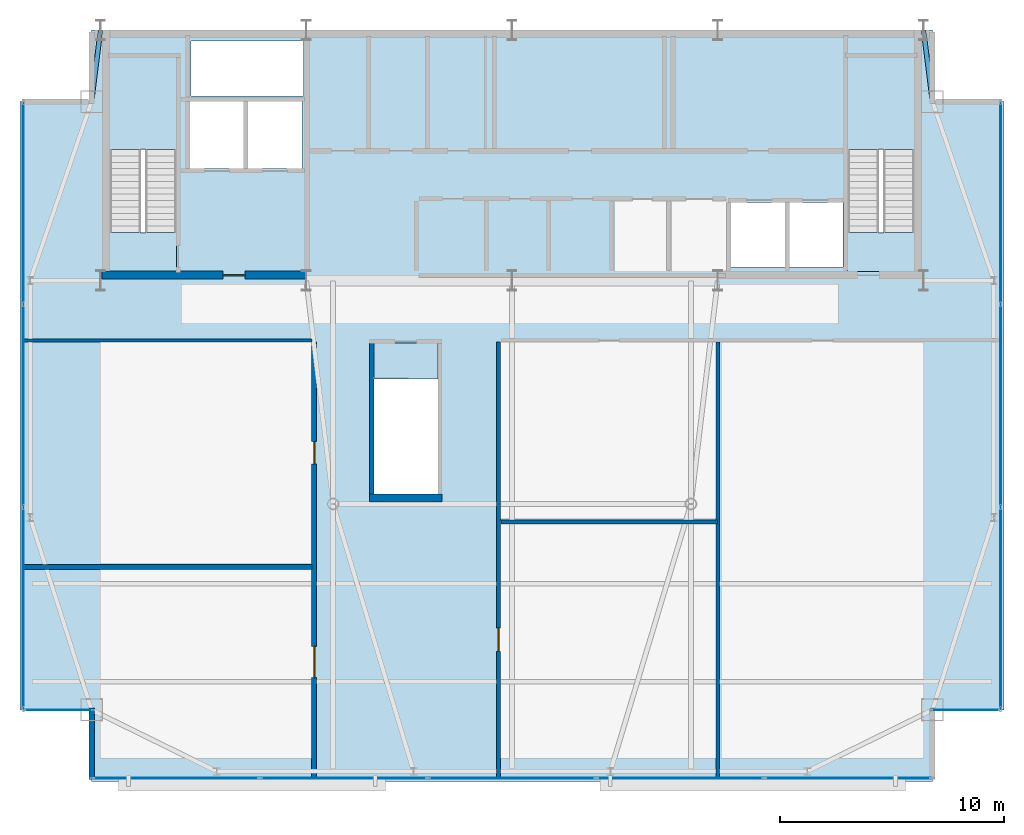
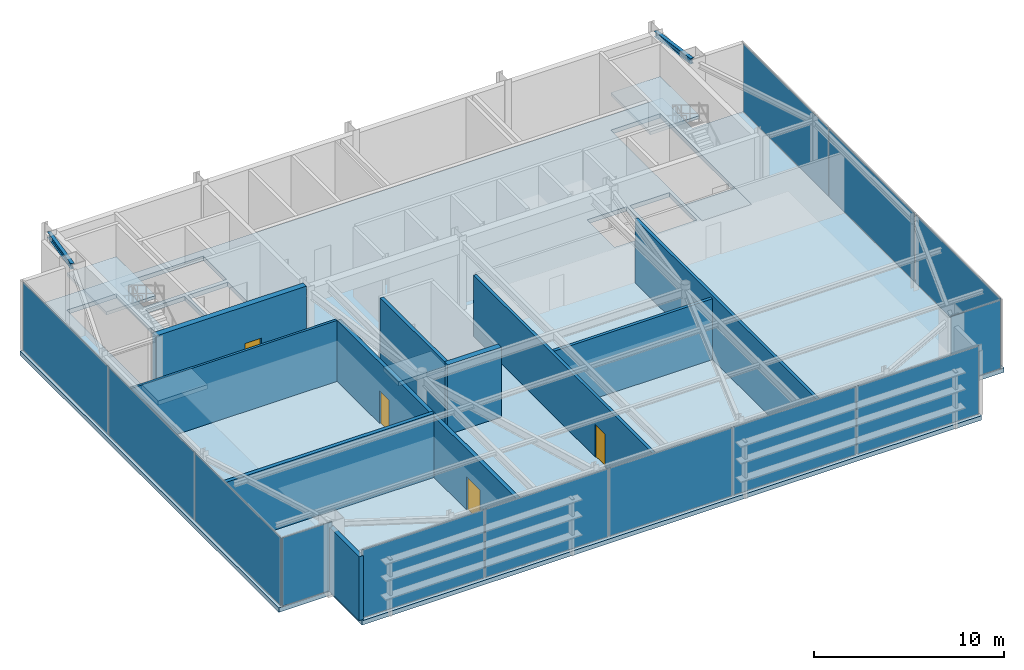
# One storey, part 17 of 20: 13 plates, 10 walls, 6 slabs, 4 doors, 2 beams, 4 openings, 7 elements without a shape of their own.
"""IFC4 building model written with IfcOpenShell, lengths in metres."""

from ifc_helpers import new_model, si_unit, direction, frame, frame_2d, origin, origin_2d, place, context, subcontext, project, spatial, polyline, rectangle, i_section, outline, extrude, source, transform, mapped, material, layer, layer_set, material_profile, profile_set, type_object, type_shapes, element, fill, aggregate, save


model = new_model("IFC4")

# Units and contexts
model_context = context("Model", 3, precision=1e-05, world=origin(), true_north=direction((0.0, 1.0)))
body_context = subcontext(model_context, "Body", "Model", "MODEL_VIEW")
ifc_project = project(units=[si_unit("LENGTHUNIT", "METRE"), si_unit("AREAUNIT", "SQUARE_METRE"), si_unit("VOLUMEUNIT", "CUBIC_METRE"), si_unit("PLANEANGLEUNIT", "RADIAN"), si_unit("MASSUNIT", "GRAM", prefix="KILO")], contexts=[model_context])

# Site, building, storey
site_placement = place(None, origin())
site = spatial("IfcSite", under=ifc_project, at=site_placement, CompositionType="ELEMENT")
building_placement = place(site_placement, origin())
building = spatial("IfcBuilding", under=site, at=building_placement, Name="Varnel Quay Broadcast Tower", CompositionType="ELEMENT")
storey_placement = place(building_placement, frame((0.0, 0.0, 309.800048828125)))
storey = spatial("IfcBuildingStorey", under=building, at=storey_placement, Name="L77", CompositionType="ELEMENT", Elevation=309.800048828125)

# Beams
ifc_material_1 = material(Name="Structural Steel CSA G40.21 350W", Category="steel")
ifc_material_profile = material_profile(ifc_material_1, i_section(OverallWidth=0.205078125, OverallDepth=0.35400390625, WebThickness=0.009521484375, FlangeThickness=0.016845703125, FilletRadius=0.012939453125, at=origin_2d()), Name="W360X79")
ifc_profile_set = profile_set([ifc_material_profile], Name="Structural Steel CSA G40.21 350W")
beam_type = type_object("IfcBeamType", Name="Beam_W360X79", PredefinedType="SPANDREL", material=ifc_profile_set)
shared_shape_1 = source(origin(), body_context, "Body", "SweptSolid", [
    extrude(i_section(OverallWidth=0.205078125, OverallDepth=0.35400390625, WebThickness=0.009521484375, FlangeThickness=0.016845703125, FilletRadius=0.012939453125, at=origin_2d()), origin(), (0.0, 0.0, 1.0), 3.18505859375),
])
type_shapes(beam_type, [shared_shape_1])
for number, where, z_axis, x_axis, name in (
    (1, (15.202392578125, 43.619873046875, 4.302978515625), (0.124025300311, 0.992279055953, 0.0), (-0.992279055953, 0.124025300311, 0.0), "L77 NW Tie Spandrel"),
    (2, (52.402587890625, 46.7802734375, 4.302978515625), (0.124025300311, -0.992279055953, 0.0), (0.992279055953, 0.124025300311, 0.0), "L77 NE Tie Spandrel"),
):
    element("IfcBeam", number, at=place(storey_placement, frame(where, z_axis=z_axis, x_axis=x_axis)), inside=storey, type_object=beam_type, Name=name, PredefinedType="SPANDREL", context=body_context, shape_type="MappedRepresentation", body=[
        mapped(shared_shape_1, transform((0.0, 0.0, 0.0), x_axis=(1.0, 0.0, 0.0), y_axis=(0.0, 1.0, 0.0), z_axis=(0.0, 0.0, 1.0), scale=1.0)),
    ])

# Slabs
ifc_material_2 = material(Name="Concrete CSA A23.3 C50/60", Category="concrete")
ifc_layer_1 = layer(ifc_material_2, 0.280029296875, Name="Concrete CSA A23.3 C50/60")
ifc_layer_set_1 = layer_set([ifc_layer_1], Name="Concrete CSA A23.3 C50/60")
slab_type_1 = type_object("IfcSlabType", Name="Slab_Floor280", PredefinedType="FLOOR", material=ifc_layer_set_1)
slab_1_placement = place(storey_placement, frame((0.0, 0.0, -0.280029296875)))
element("IfcSlab", 3, at=slab_1_placement, inside=storey, type_object=slab_type_1, Name="L77 Structural Slab", PredefinedType="FLOOR", context=body_context, shape_type="SweptSolid", body=[
    extrude(outline(polyline([(15.199951171875, 13.199951171875), (52.800048828125, 13.199951171875), (52.800048828125, 16.39990234375), (56.0, 16.39990234375), (56.0, 43.60009765625), (52.800048828125, 43.60009765625), (52.800048828125, 46.800048828125), (15.199951171875, 46.800048828125), (15.199951171875, 43.60009765625), (12.0, 43.60009765625), (12.0, 16.39990234375), (15.199951171875, 16.39990234375), (15.199951171875, 13.199951171875)]), holes=[polyline([(27.800048828125, 32.800048828125), (30.699951171875, 32.800048828125), (30.699951171875, 26.0), (27.800048828125, 26.0), (27.800048828125, 32.800048828125)]), polyline([(43.800048828125, 36.199951171875), (43.800048828125, 39.10009765625), (46.199951171875, 39.10009765625), (46.199951171875, 36.199951171875), (43.800048828125, 36.199951171875)]), polyline([(46.39990234375, 36.199951171875), (46.39990234375, 39.10009765625), (48.800048828125, 39.10009765625), (48.800048828125, 36.199951171875), (46.39990234375, 36.199951171875)]), polyline([(19.0, 36.0), (16.0, 36.0), (16.0, 45.60009765625), (19.0, 45.60009765625), (19.0, 36.0)]), polyline([(52.0, 36.0), (49.0, 36.0), (49.0, 45.60009765625), (52.0, 45.60009765625), (52.0, 36.0)]), polyline([(19.60009765625, 40.60009765625), (19.60009765625, 43.60009765625), (22.0, 43.60009765625), (22.0, 40.60009765625), (19.60009765625, 40.60009765625)]), polyline([(22.199951171875, 40.60009765625), (22.199951171875, 43.60009765625), (24.60009765625, 43.60009765625), (24.60009765625, 40.60009765625), (22.199951171875, 40.60009765625)]), polyline([(19.64990234375, 43.85009765625), (19.64990234375, 46.300048828125), (24.679931640625, 46.300048828125), (24.679931640625, 43.85009765625), (19.64990234375, 43.85009765625)])]), origin(), (0.0, 0.0, 1.0), 0.280029296875),
])
ifc_layer_2 = layer(ifc_material_2, 0.25, Name="Concrete CSA A23.3 C50/60")
ifc_layer_set_2 = layer_set([ifc_layer_2], Name="Concrete CSA A23.3 C50/60")
slab_type_2 = type_object("IfcSlabType", Name="Slab_StairFloorLanding250", PredefinedType="FLOOR", material=ifc_layer_set_2)
slab_2_placement = place(storey_placement, frame((0.0, 0.0, -0.280029296875)))
element("IfcSlab", 4, at=slab_2_placement, inside=storey, type_object=slab_type_2, Name="L77 ST-01 Structural Floor Landing Slab", PredefinedType="FLOOR", context=body_context, shape_type="SweptSolid", body=[
    extrude(outline(polyline([(19.0, 36.0), (19.0, 37.75), (16.0, 37.75), (16.0, 36.0), (19.0, 36.0)])), origin(), (0.0, 0.0, 1.0), 0.280029296875),
])
slab_3_placement = place(storey_placement, frame((0.0, 0.0, -0.280029296875)))
element("IfcSlab", 5, at=slab_3_placement, inside=storey, type_object=slab_type_2, Name="L77 ST-02 Structural Floor Landing Slab", PredefinedType="FLOOR", context=body_context, shape_type="SweptSolid", body=[
    extrude(outline(polyline([(52.0, 36.0), (52.0, 37.75), (49.0, 37.75), (49.0, 36.0), (52.0, 36.0)])), origin(), (0.0, 0.0, 1.0), 0.280029296875),
])
slab_4_placement = place(storey_placement, frame((0.0, 0.0, -0.280029296875)))
element("IfcSlab", 6, at=slab_4_placement, inside=storey, type_object=slab_type_2, Name="L77 ST-04 Structural Floor Landing Slab", PredefinedType="FLOOR", context=body_context, shape_type="SweptSolid", body=[
    extrude(outline(polyline([(27.800048828125, 32.800048828125), (27.800048828125, 31.199951171875), (30.699951171875, 31.199951171875), (30.699951171875, 32.800048828125), (27.800048828125, 32.800048828125)])), origin(), (0.0, 0.0, 1.0), 0.280029296875),
])

# Stair, slab
ifc_material_3 = material(Name="Precast Structural Concrete C40/50", Category="concrete")
stair_type_1 = type_object("IfcStairType", Name="Stair_ST-01", PredefinedType="HALF_TURN_STAIR", material=ifc_material_3)
stair_1_placement = place(storey_placement, origin())
stair_1 = element("IfcStair", 7, at=stair_1_placement, inside=storey, type_object=stair_type_1, Name="L77 West Core Exit Stair 1", PredefinedType="HALF_TURN_STAIR")
ifc_layer_3 = layer(ifc_material_3, 0.199951171875, Name="Precast Structural Concrete C40/50")
ifc_layer_set_3 = layer_set([ifc_layer_3], Name="Precast Structural Concrete C40/50")
slab_type_3 = type_object("IfcSlabType", Name="Slab_StairLanding200", PredefinedType="LANDING", material=ifc_layer_set_3)
slab_5_placement = place(storey_placement, frame((0.0, 0.0, 2.199951171875)))
slab_5 = element("IfcSlab", 8, at=slab_5_placement, type_object=slab_type_3, Name="ST-01 landing 1", PredefinedType="LANDING", context=body_context, shape_type="SweptSolid", body=[
    extrude(outline(polyline([(19.0, 41.455078125), (19.0, 45.60009765625), (16.0, 45.60009765625), (16.0, 41.455078125), (19.0, 41.455078125)])), origin(), (0.0, 0.0, 1.0), 0.199951171875),
])
aggregate(stair_1, [slab_5])

stair_type_2 = type_object("IfcStairType", Name="Stair_ST-02", PredefinedType="HALF_TURN_STAIR", material=ifc_material_3)
stair_2_placement = place(storey_placement, origin())
stair_2 = element("IfcStair", 9, at=stair_2_placement, inside=storey, type_object=stair_type_2, Name="L77 East Core Exit Stair 2", PredefinedType="HALF_TURN_STAIR")
slab_6_placement = place(storey_placement, frame((0.0, 0.0, 2.199951171875)))
slab_6 = element("IfcSlab", 10, at=slab_6_placement, type_object=slab_type_3, Name="ST-02 landing 1", PredefinedType="LANDING", context=body_context, shape_type="SweptSolid", body=[
    extrude(outline(polyline([(52.0, 41.455078125), (52.0, 45.60009765625), (49.0, 45.60009765625), (49.0, 41.455078125), (52.0, 41.455078125)])), origin(), (0.0, 0.0, 1.0), 0.199951171875),
])
aggregate(stair_2, [slab_6])

# Curtain wall, plates
ifc_material_4 = material(Name="Anodised Bronze Aluminium 6063-T6", Category="aluminium")
ifc_layer_4 = layer(ifc_material_4, 0.18994140625, Name="Anodised Bronze Aluminium 6063-T6")
ifc_layer_set_4 = layer_set([ifc_layer_4], Name="Anodised Bronze Aluminium 6063-T6")
curtain_wall_type_1 = type_object("IfcCurtainWallType", Name="CW_SkyObsHighVis", PredefinedType="NOTDEFINED", material=ifc_layer_set_4)
curtain_wall_1_placement = place(storey_placement, origin())
curtain_wall_1 = element("IfcCurtainWall", 11, at=curtain_wall_1_placement, inside=storey, type_object=curtain_wall_type_1, Name="L77 South Unitised Curtain Wall 1", PredefinedType="NOTDEFINED")
ifc_material_5 = material(Name="Triple-Glazed Clear High-Vision Low-E Glass", Category="glass")
ifc_layer_5 = layer(ifc_material_5, 0.0380859375, Name="Triple-Glazed Clear High-Vision Low-E Glass")
ifc_layer_set_5 = layer_set([ifc_layer_5], Name="Triple-Glazed Clear High-Vision Low-E Glass")
plate_type_1 = type_object("IfcPlateType", Name="Panel_CWS-05", PredefinedType="CURTAIN_PANEL", material=ifc_layer_set_5)
shared_shape_2 = source(origin(), body_context, "Body", "SweptSolid", [
    extrude(rectangle(XDim=7.407470703125, YDim=0.0380859375, at=origin_2d()), origin(), (0.0, 0.0, 1.0), 4.360107421875),
])
plate_1_placement = place(storey_placement, frame((18.978759765625, 13.35009765625, 0.06005859375), z_axis=(0.0, 0.0, 1.0), x_axis=(1.0, 0.0, 0.0)))
plate_1 = element("IfcPlate", 12, at=plate_1_placement, type_object=plate_type_1, Name="CWS-05 panel 1.1", PredefinedType="CURTAIN_PANEL", context=body_context, shape_type="MappedRepresentation", body=[
    mapped(shared_shape_2, transform((0.0, 0.0, 0.0), x_axis=(1.0, 0.0, 0.0), y_axis=(0.0, 1.0, 0.0), z_axis=(0.0, 0.0, 1.0), scale=1.0)),
])
plate_2_placement = place(storey_placement, frame((49.021240234375, 13.35009765625, 0.06005859375), z_axis=(0.0, 0.0, 1.0), x_axis=(1.0, 0.0, 0.0)))
plate_2 = element("IfcPlate", 13, at=plate_2_placement, type_object=plate_type_1, Name="CWS-05 panel 5.1", PredefinedType="CURTAIN_PANEL", context=body_context, shape_type="MappedRepresentation", body=[
    mapped(shared_shape_2, transform((0.0, 0.0, 0.0), x_axis=(1.0, 0.0, 0.0), y_axis=(0.0, 1.0, 0.0), z_axis=(0.0, 0.0, 1.0), scale=1.0)),
])
shared_shape_3 = source(origin(), body_context, "Body", "SweptSolid", [
    extrude(rectangle(XDim=7.445068359375, YDim=0.0380859375, at=origin_2d()), origin(), (0.0, 0.0, 1.0), 4.360107421875),
])
plate_3_placement = place(storey_placement, frame((26.47998046875, 13.35009765625, 0.06005859375), z_axis=(0.0, 0.0, 1.0), x_axis=(1.0, 0.0, 0.0)))
plate_3 = element("IfcPlate", 14, at=plate_3_placement, type_object=plate_type_1, Name="CWS-05 panel 2.1", PredefinedType="CURTAIN_PANEL", context=body_context, shape_type="MappedRepresentation", body=[
    mapped(shared_shape_3, transform((0.0, 0.0, 0.0), x_axis=(1.0, 0.0, 0.0), y_axis=(0.0, 1.0, 0.0), z_axis=(0.0, 0.0, 1.0), scale=1.0)),
])
plate_4_placement = place(storey_placement, frame((34.0, 13.35009765625, 0.06005859375), z_axis=(0.0, 0.0, 1.0), x_axis=(1.0, 0.0, 0.0)))
plate_4 = element("IfcPlate", 15, at=plate_4_placement, type_object=plate_type_1, Name="CWS-05 panel 3.1", PredefinedType="CURTAIN_PANEL", context=body_context, shape_type="MappedRepresentation", body=[
    mapped(shared_shape_3, transform((0.0, 0.0, 0.0), x_axis=(1.0, 0.0, 0.0), y_axis=(0.0, 1.0, 0.0), z_axis=(0.0, 0.0, 1.0), scale=1.0)),
])
plate_5_placement = place(storey_placement, frame((41.52001953125, 13.35009765625, 0.06005859375), z_axis=(0.0, 0.0, 1.0), x_axis=(1.0, 0.0, 0.0)))
plate_5 = element("IfcPlate", 16, at=plate_5_placement, type_object=plate_type_1, Name="CWS-05 panel 4.1", PredefinedType="CURTAIN_PANEL", context=body_context, shape_type="MappedRepresentation", body=[
    mapped(shared_shape_3, transform((0.0, 0.0, 0.0), x_axis=(1.0, 0.0, 0.0), y_axis=(0.0, 1.0, 0.0), z_axis=(0.0, 0.0, 1.0), scale=1.0)),
])
aggregate(curtain_wall_1, [plate_1, plate_3, plate_4, plate_5, plate_2])

curtain_wall_2_placement = place(storey_placement, origin())
curtain_wall_2 = element("IfcCurtainWall", 17, at=curtain_wall_2_placement, inside=storey, type_object=curtain_wall_type_1, Name="L77 West Unitised Curtain Wall", PredefinedType="NOTDEFINED")
shared_shape_4 = source(origin(), body_context, "Body", "SweptSolid", [
    extrude(rectangle(XDim=8.9541015625, YDim=0.0380859375, at=origin_2d()), origin(), (0.0, 0.0, 1.0), 4.360107421875),
])
plate_6_placement = place(storey_placement, frame((12.14990234375, 20.9521484375, 0.06005859375), z_axis=(0.0, 0.0, 1.0), x_axis=(0.0, 1.0, 0.0)))
plate_6 = element("IfcPlate", 18, at=plate_6_placement, type_object=plate_type_1, Name="CWS-05 panel 1.1", PredefinedType="CURTAIN_PANEL", context=body_context, shape_type="MappedRepresentation", body=[
    mapped(shared_shape_4, transform((0.0, 0.0, 0.0), x_axis=(1.0, 0.0, 0.0), y_axis=(0.0, 1.0, 0.0), z_axis=(0.0, 0.0, 1.0), scale=1.0)),
])
plate_7_placement = place(storey_placement, frame((12.14990234375, 39.0478515625, 0.06005859375), z_axis=(0.0, 0.0, 1.0), x_axis=(0.0, 1.0, 0.0)))
plate_7 = element("IfcPlate", 19, at=plate_7_placement, type_object=plate_type_1, Name="CWS-05 panel 3.1", PredefinedType="CURTAIN_PANEL", context=body_context, shape_type="MappedRepresentation", body=[
    mapped(shared_shape_4, transform((0.0, 0.0, 0.0), x_axis=(1.0, 0.0, 0.0), y_axis=(0.0, 1.0, 0.0), z_axis=(0.0, 0.0, 1.0), scale=1.0)),
])

curtain_wall_3_placement = place(storey_placement, origin())
curtain_wall_3 = element("IfcCurtainWall", 20, at=curtain_wall_3_placement, inside=storey, type_object=curtain_wall_type_1, Name="L77 East Unitised Curtain Wall", PredefinedType="NOTDEFINED")
plate_8_placement = place(storey_placement, frame((55.85009765625, 20.9521484375, 0.06005859375), z_axis=(0.0, 0.0, 1.0), x_axis=(0.0, 1.0, 0.0)))
plate_8 = element("IfcPlate", 21, at=plate_8_placement, type_object=plate_type_1, Name="CWS-05 panel 1.1", PredefinedType="CURTAIN_PANEL", context=body_context, shape_type="MappedRepresentation", body=[
    mapped(shared_shape_4, transform((0.0, 0.0, 0.0), x_axis=(1.0, 0.0, 0.0), y_axis=(0.0, 1.0, 0.0), z_axis=(0.0, 0.0, 1.0), scale=1.0)),
])
plate_9_placement = place(storey_placement, frame((55.85009765625, 39.0478515625, 0.06005859375), z_axis=(0.0, 0.0, 1.0), x_axis=(0.0, 1.0, 0.0)))
plate_9 = element("IfcPlate", 22, at=plate_9_placement, type_object=plate_type_1, Name="CWS-05 panel 3.1", PredefinedType="CURTAIN_PANEL", context=body_context, shape_type="MappedRepresentation", body=[
    mapped(shared_shape_4, transform((0.0, 0.0, 0.0), x_axis=(1.0, 0.0, 0.0), y_axis=(0.0, 1.0, 0.0), z_axis=(0.0, 0.0, 1.0), scale=1.0)),
])

# Plate
shared_shape_5 = source(origin(), body_context, "Body", "SweptSolid", [
    extrude(rectangle(XDim=8.99169921875, YDim=0.0380859375, at=origin_2d()), origin(), (0.0, 0.0, 1.0), 4.360107421875),
])
type_shapes(plate_type_1, [shared_shape_2, shared_shape_3, shared_shape_4, shared_shape_5])
plate_10_placement = place(storey_placement, frame((12.14990234375, 30.0, 0.06005859375), z_axis=(0.0, 0.0, 1.0), x_axis=(0.0, 1.0, 0.0)))
plate_10 = element("IfcPlate", 23, at=plate_10_placement, type_object=plate_type_1, Name="CWS-05 panel 2.1", PredefinedType="CURTAIN_PANEL", context=body_context, shape_type="MappedRepresentation", body=[
    mapped(shared_shape_5, transform((0.0, 0.0, 0.0), x_axis=(1.0, 0.0, 0.0), y_axis=(0.0, 1.0, 0.0), z_axis=(0.0, 0.0, 1.0), scale=1.0)),
])

aggregate(curtain_wall_2, [plate_6, plate_10, plate_7])

plate_11_placement = place(storey_placement, frame((55.85009765625, 30.0, 0.06005859375), z_axis=(0.0, 0.0, 1.0), x_axis=(0.0, 1.0, 0.0)))
plate_11 = element("IfcPlate", 24, at=plate_11_placement, type_object=plate_type_1, Name="CWS-05 panel 2.1", PredefinedType="CURTAIN_PANEL", context=body_context, shape_type="MappedRepresentation", body=[
    mapped(shared_shape_5, transform((0.0, 0.0, 0.0), x_axis=(1.0, 0.0, 0.0), y_axis=(0.0, 1.0, 0.0), z_axis=(0.0, 0.0, 1.0), scale=1.0)),
])

aggregate(curtain_wall_3, [plate_8, plate_11, plate_9])

# Curtain wall, plate
ifc_layer_6 = layer(ifc_material_4, 0.18994140625, Name="Anodised Bronze Aluminium 6063-T6")
ifc_layer_set_6 = layer_set([ifc_layer_6], Name="Anodised Bronze Aluminium 6063-T6")
curtain_wall_type_2 = type_object("IfcCurtainWallType", Name="CW_NotchCorner", PredefinedType="NOTDEFINED", material=ifc_layer_set_6)
curtain_wall_4_placement = place(storey_placement, origin())
curtain_wall_4 = element("IfcCurtainWall", 25, at=curtain_wall_4_placement, inside=storey, type_object=curtain_wall_type_2, Name="L77 SW Notch Curtain Wall", PredefinedType="NOTDEFINED")
ifc_material_6 = material(Name="Triple-Glazed Bronze Low-E Architectural Glass", Category="glass")
ifc_layer_7 = layer(ifc_material_6, 0.028076171875, Name="Triple-Glazed Bronze Low-E Architectural Glass")
ifc_layer_set_7 = layer_set([ifc_layer_7], Name="Triple-Glazed Bronze Low-E Architectural Glass")
plate_type_2 = type_object("IfcPlateType", Name="Panel_CWS-04", PredefinedType="CURTAIN_PANEL", material=ifc_layer_set_7)
shared_shape_6 = source(origin(), body_context, "Body", "SweptSolid", [
    extrude(rectangle(XDim=3.010009765625, YDim=0.028076171875, at=origin_2d()), origin(), (0.0, 0.0, 1.0), 4.3701171875),
])
type_shapes(plate_type_2, [shared_shape_6])
plate_12_placement = place(storey_placement, frame((13.715087890625, 16.39990234375, 0.054931640625), z_axis=(0.0, 0.0, 1.0), x_axis=(1.0, 0.0, 0.0)))
plate_12 = element("IfcPlate", 26, at=plate_12_placement, type_object=plate_type_2, Name="CWS-04 panel 1.1", PredefinedType="CURTAIN_PANEL", context=body_context, shape_type="MappedRepresentation", body=[
    mapped(shared_shape_6, transform((0.0, 0.0, 0.0), x_axis=(1.0, 0.0, 0.0), y_axis=(0.0, 1.0, 0.0), z_axis=(0.0, 0.0, 1.0), scale=1.0)),
])
aggregate(curtain_wall_4, [plate_12])

curtain_wall_5_placement = place(storey_placement, origin())
curtain_wall_5 = element("IfcCurtainWall", 27, at=curtain_wall_5_placement, inside=storey, type_object=curtain_wall_type_2, Name="L77 SE Notch Curtain Wall", PredefinedType="NOTDEFINED")
plate_13_placement = place(storey_placement, frame((54.284912109375, 16.39990234375, 0.054931640625), z_axis=(0.0, 0.0, 1.0), x_axis=(1.0, 0.0, 0.0)))
plate_13 = element("IfcPlate", 28, at=plate_13_placement, type_object=plate_type_2, Name="CWS-04 panel 1.1", PredefinedType="CURTAIN_PANEL", context=body_context, shape_type="MappedRepresentation", body=[
    mapped(shared_shape_6, transform((0.0, 0.0, 0.0), x_axis=(1.0, 0.0, 0.0), y_axis=(0.0, 1.0, 0.0), z_axis=(0.0, 0.0, 1.0), scale=1.0)),
])
aggregate(curtain_wall_5, [plate_13])

# Wall
ifc_layer_8 = layer(ifc_material_2, 0.199951171875, Name="Concrete CSA A23.3 C50/60")
ifc_layer_set_8 = layer_set([ifc_layer_8], Name="Concrete CSA A23.3 C50/60")
wall_type_1 = type_object("IfcWallType", Name="Wall_CoreShaftShear200", PredefinedType="SHEAR", material=ifc_layer_set_8)
wall_1_placement = place(storey_placement, frame((27.719970703125, 26.0, 0.0), z_axis=(0.0, 0.0, 1.0), x_axis=(0.0, 1.0, 0.0)))
element("IfcWall", 29, at=wall_1_placement, inside=storey, type_object=wall_type_1, Name="L77 Observation Stair 4 W Structural Wall", PredefinedType="SHEAR", context=body_context, shape_type="SweptSolid", body=[
    extrude(rectangle(XDim=6.800048828125, YDim=0.199951171875, at=frame_2d((3.39990234375, 0.0))), origin(), (0.0, 0.0, 1.0), 4.47998046875),
])

# Wall, opening, door
ifc_layer_9 = layer(ifc_material_2, 0.35009765625, Name="Concrete CSA A23.3 C50/60")
ifc_layer_set_9 = layer_set([ifc_layer_9], Name="Concrete CSA A23.3 C50/60")
wall_type_2 = type_object("IfcWallType", Name="Wall_CoreShearInt350", PredefinedType="SHEAR", material=ifc_layer_set_9)
wall_2_placement = place(storey_placement, frame((15.669921875, 35.844970703125, 0.0), z_axis=(0.0, 0.0, 1.0), x_axis=(1.0, 0.0, 0.0)))
wall_2 = element("IfcWall", 30, at=wall_2_placement, inside=storey, type_object=wall_type_2, Name="L77 South-West Core Shear Wall", PredefinedType="SHEAR", context=body_context, shape_type="SweptSolid", body=[
    extrude(rectangle(XDim=9.130126953125, YDim=0.35009765625, at=frame_2d((4.56494140625, 0.0))), origin(), (0.0, 0.0, 1.0), 4.47998046875),
])
opening_1_placement = place(wall_2_placement, frame((5.39990234375, 0.0, 0.0)))
opening_1 = element("IfcOpeningElement", 31, at=opening_1_placement, cuts=wall_2, Name="Opening D-L77-FFL", PredefinedType="OPENING", context=body_context, shape_type="SweptSolid", body=[
    extrude(rectangle(XDim=1.0, YDim=2.10009765625, at=frame_2d((0.5, 1.050048828125))), frame((0.0, 0.18505859375, 0.0), z_axis=(0.0, -1.0, 0.0), x_axis=(1.0, 0.0, 0.0)), (0.0, 0.0, 1.0), 0.3701171875),
])
ifc_material_7 = material(Name="Insulated Fire-Rated Hollow Steel Door", Category="steel")
door_type_1 = type_object("IfcDoorType", Name="Door_FireLobby1000", OperationType="NOTDEFINED", PredefinedType="DOOR", material=ifc_material_7)
shared_shape_7 = source(origin(), body_context, "Body", "SweptSolid", [
    extrude(rectangle(XDim=1.0, YDim=2.10009765625, at=frame_2d((0.5, 1.050048828125))), frame((0.0, 0.02490234375, 0.0), z_axis=(0.0, -1.0, 0.0), x_axis=(1.0, 0.0, 0.0)), (0.0, 0.0, 1.0), 0.050048828125),
])
type_shapes(door_type_1, [shared_shape_7])
door_1_placement = place(opening_1_placement, origin())
door_1 = element("IfcDoor", 32, at=door_1_placement, inside=storey, type_object=door_type_1, Name="L77 Firefighting Lobby Door", OperationType="SINGLE_SWING_LEFT", OverallHeight=2.10009765625, OverallWidth=1.0, PredefinedType="DOOR", context=body_context, shape_type="MappedRepresentation", body=[
    mapped(shared_shape_7, transform((0.0, 0.0, 0.0), x_axis=(1.0, 0.0, 0.0), y_axis=(0.0, 1.0, 0.0), z_axis=(0.0, 0.0, 1.0), scale=1.0)),
])
fill(opening_1, door_1)

# Walls
wall_3_placement = place(storey_placement, frame((27.6201171875, 25.8798828125, 0.0), z_axis=(0.0, 0.0, 1.0), x_axis=(1.0, 0.0, 0.0)))
element("IfcWall", 33, at=wall_3_placement, inside=storey, type_object=wall_type_2, Name="L77 Observation Stair 4 S Structural Wall", PredefinedType="SHEAR", context=body_context, shape_type="SweptSolid", body=[
    extrude(rectangle(XDim=3.259765625, YDim=0.35009765625, at=frame_2d((1.6298828125, 0.0))), origin(), (0.0, 0.0, 1.0), 4.47998046875),
])
ifc_material_8 = material(Name="Precast Architectural Concrete C40/50", Category="concrete")
ifc_layer_10 = layer(ifc_material_8, 0.25, Name="Precast Architectural Concrete C40/50")
ifc_layer_set_10 = layer_set([ifc_layer_10], Name="Precast Architectural Concrete C40/50")
wall_type_3 = type_object("IfcWallType", Name="Wall_ExtTerrace250", PredefinedType="SOLIDWALL", material=ifc_layer_set_10)
wall_4_placement = place(storey_placement, frame((15.199951171875, 13.280029296875, 0.0), z_axis=(0.0, 0.0, 1.0), x_axis=(0.0, 1.0, 0.0)))
element("IfcWall", 34, at=wall_4_placement, inside=storey, type_object=wall_type_3, Name="L77 Mega-Column Notch Cladding Wall NSW2", PredefinedType="SOLIDWALL", context=body_context, shape_type="SweptSolid", body=[
    extrude(rectangle(XDim=3.199951171875, YDim=0.25, at=frame_2d((1.60009765625, 0.0))), origin(), (0.0, 0.0, 1.0), 4.100830078125),
])
ifc_material_9 = material(Name="Steel-Stud Fire-Rated Acoustic Gypsum Partition Assembly", Category="steel")
ifc_layer_11 = layer(ifc_material_9, 0.139892578125, Name="Steel-Stud Fire-Rated Acoustic Gypsum Partition Assembly")
ifc_layer_set_11 = layer_set([ifc_layer_11], Name="Steel-Stud Fire-Rated Acoustic Gypsum Partition Assembly")
wall_type_4 = type_object("IfcWallType", Name="Wall_Partition140", PredefinedType="PARTITIONING", material=ifc_layer_set_11)
wall_5_placement = place(storey_placement, frame((12.179931640625, 32.925048828125, 0.0), z_axis=(0.0, 0.0, 1.0), x_axis=(1.0, 0.0, 0.0)))
element("IfcWall", 35, at=wall_5_placement, inside=storey, type_object=wall_type_4, Name="L77 Anchor & Guest Green Lounge Partition 10", PredefinedType="PARTITIONING", context=body_context, shape_type="SweptSolid", body=[
    extrude(rectangle(XDim=12.8701171875, YDim=0.139892578125, at=frame_2d((6.43505859375, 0.0))), origin(), (0.0, 0.0, 1.0), 3.910888671875),
])
ifc_layer_12 = layer(ifc_material_9, 0.175048828125, Name="Steel-Stud Fire-Rated Acoustic Gypsum Partition Assembly")
ifc_layer_set_12 = layer_set([ifc_layer_12], Name="Steel-Stud Fire-Rated Acoustic Gypsum Partition Assembly")
wall_type_5 = type_object("IfcWallType", Name="Wall_Partition175", PredefinedType="PARTITIONING", material=ifc_layer_set_12)
wall_6_placement = place(storey_placement, frame((43.199951171875, 13.3798828125, 0.0), z_axis=(0.0, 0.0, 1.0), x_axis=(0.0, 1.0, 0.0)))
element("IfcWall", 36, at=wall_6_placement, inside=storey, type_object=wall_type_5, Name="L77 International Press Boardroom Partition 11", PredefinedType="PARTITIONING", context=body_context, shape_type="SweptSolid", body=[
    extrude(rectangle(XDim=19.47021484375, YDim=0.175048828125, at=frame_2d((9.735107421875, 0.0))), origin(), (0.0, 0.0, 1.0), 4.100830078125),
])
wall_7_placement = place(storey_placement, frame((33.5, 24.800048828125, 0.0), z_axis=(0.0, 0.0, 1.0), x_axis=(1.0, 0.0, 0.0)))
element("IfcWall", 37, at=wall_7_placement, inside=storey, type_object=wall_type_5, Name="L77 International Press Boardroom Partition 12", PredefinedType="PARTITIONING", context=body_context, shape_type="SweptSolid", body=[
    extrude(rectangle(XDim=9.699951171875, YDim=0.175048828125, at=frame_2d((4.85009765625, 0.0))), origin(), (0.0, 0.0, 1.0), 3.910888671875),
])

# Wall, opening, door
wall_8_placement = place(storey_placement, frame((33.39990234375, 13.3798828125, 0.0), z_axis=(0.0, 0.0, 1.0), x_axis=(0.0, 1.0, 0.0)))
wall_8 = element("IfcWall", 38, at=wall_8_placement, inside=storey, type_object=wall_type_5, Name="L77 International Press Boardroom Partition 13", PredefinedType="PARTITIONING", context=body_context, shape_type="SweptSolid", body=[
    extrude(rectangle(XDim=19.47021484375, YDim=0.175048828125, at=frame_2d((9.735107421875, 0.0))), origin(), (0.0, 0.0, 1.0), 3.910888671875),
])
opening_2_placement = place(wall_8_placement, frame((5.639892578125, 0.0, 0.0)))
opening_2 = element("IfcOpeningElement", 39, at=opening_2_placement, cuts=wall_8, Name="Opening D-L77-08", PredefinedType="OPENING", context=body_context, shape_type="SweptSolid", body=[
    extrude(rectangle(XDim=1.050048828125, YDim=2.10009765625, at=frame_2d((0.52490234375, 1.050048828125))), frame((0.0, 0.09765625, 0.0), z_axis=(0.0, -1.0, 0.0), x_axis=(1.0, 0.0, 0.0)), (0.0, 0.0, 1.0), 0.195068359375),
])
ifc_material_10 = material(Name="Solid-Core Fire-Rated Acoustic Oak Veneer Door", Category="wood")
door_type_2 = type_object("IfcDoorType", Name="Door_Meeting1050", OperationType="NOTDEFINED", PredefinedType="DOOR", material=ifc_material_10)
shared_shape_8 = source(origin(), body_context, "Body", "SweptSolid", [
    extrude(rectangle(XDim=1.050048828125, YDim=2.10009765625, at=frame_2d((0.52490234375, 1.050048828125))), frame((0.0, 0.02490234375, 0.0), z_axis=(0.0, -1.0, 0.0), x_axis=(1.0, 0.0, 0.0)), (0.0, 0.0, 1.0), 0.050048828125),
])
type_shapes(door_type_2, [shared_shape_8])
door_2_placement = place(opening_2_placement, frame((1.050048828125, 0.0, 0.0), z_axis=(0.0, 0.0, 1.0), x_axis=(-1.0, 0.0, 0.0)))
door_2 = element("IfcDoor", 40, at=door_2_placement, inside=storey, type_object=door_type_2, Name="L77 International Press Boardroom Door D-L77-08", OperationType="SINGLE_SWING_LEFT", OverallHeight=2.10009765625, OverallWidth=1.050048828125, PredefinedType="DOOR", context=body_context, shape_type="MappedRepresentation", body=[
    mapped(shared_shape_8, transform((0.0, 0.0, 0.0), x_axis=(1.0, 0.0, 0.0), y_axis=(0.0, 1.0, 0.0), z_axis=(0.0, 0.0, 1.0), scale=1.0)),
])
fill(opening_2, door_2)

# Wall, openings, doors
ifc_layer_13 = layer(ifc_material_9, 0.22509765625, Name="Steel-Stud Fire-Rated Acoustic Gypsum Partition Assembly")
ifc_layer_set_13 = layer_set([ifc_layer_13], Name="Steel-Stud Fire-Rated Acoustic Gypsum Partition Assembly")
wall_type_6 = type_object("IfcWallType", Name="Wall_Partition225", PredefinedType="PARTITIONING", material=ifc_layer_set_13)
wall_9_placement = place(storey_placement, frame((25.14990234375, 13.3798828125, 0.0), z_axis=(0.0, 0.0, 1.0), x_axis=(0.0, 1.0, 0.0)))
wall_9 = element("IfcWall", 41, at=wall_9_placement, inside=storey, type_object=wall_type_6, Name="L77 Broadcast Sky-Forum & Live Set Partition 8", PredefinedType="PARTITIONING", context=body_context, shape_type="SweptSolid", body=[
    extrude(rectangle(XDim=19.47509765625, YDim=0.22509765625, at=frame_2d((9.737548828125, 0.0))), origin(), (0.0, 0.0, 1.0), 3.910888671875),
])
opening_3_placement = place(wall_9_placement, frame((4.465087890625, 0.0, 0.0)))
opening_3 = element("IfcOpeningElement", 42, at=opening_3_placement, cuts=wall_9, Name="Opening D-L77-06", PredefinedType="OPENING", context=body_context, shape_type="SweptSolid", body=[
    extrude(rectangle(XDim=1.39990234375, YDim=2.1201171875, at=frame_2d((0.699951171875, 1.06005859375))), frame((0.0, 0.12255859375, 0.0), z_axis=(0.0, -1.0, 0.0), x_axis=(1.0, 0.0, 0.0)), (0.0, 0.0, 1.0), 0.2451171875),
])
opening_4_placement = place(wall_9_placement, frame((14.02001953125, 0.0, 0.0)))
opening_4 = element("IfcOpeningElement", 43, at=opening_4_placement, cuts=wall_9, Name="Opening D-L77-07", PredefinedType="OPENING", context=body_context, shape_type="SweptSolid", body=[
    extrude(rectangle(XDim=1.0, YDim=2.10009765625, at=frame_2d((0.5, 1.050048828125))), frame((0.0, 0.12255859375, 0.0), z_axis=(0.0, -1.0, 0.0), x_axis=(1.0, 0.0, 0.0)), (0.0, 0.0, 1.0), 0.2451171875),
])
door_type_3 = type_object("IfcDoorType", Name="Door_Exec1000", OperationType="NOTDEFINED", PredefinedType="DOOR", material=ifc_material_10)
shared_shape_9 = source(origin(), body_context, "Body", "SweptSolid", [
    extrude(rectangle(XDim=1.0, YDim=2.10009765625, at=frame_2d((0.5, 1.050048828125))), frame((0.0, 0.02490234375, 0.0), z_axis=(0.0, -1.0, 0.0), x_axis=(1.0, 0.0, 0.0)), (0.0, 0.0, 1.0), 0.050048828125),
])
type_shapes(door_type_3, [shared_shape_9])
door_3_placement = place(opening_4_placement, origin())
door_3 = element("IfcDoor", 44, at=door_3_placement, inside=storey, type_object=door_type_3, Name="L77 Anchor & Guest Green Lounge Door D-L77-07", OperationType="SINGLE_SWING_RIGHT", OverallHeight=2.10009765625, OverallWidth=1.0, PredefinedType="DOOR", context=body_context, shape_type="MappedRepresentation", body=[
    mapped(shared_shape_9, transform((0.0, 0.0, 0.0), x_axis=(1.0, 0.0, 0.0), y_axis=(0.0, 1.0, 0.0), z_axis=(0.0, 0.0, 1.0), scale=1.0)),
])
fill(opening_4, door_3)
door_type_4 = type_object("IfcDoorType", Name="Door_Gallery1400", OperationType="DOUBLE_DOOR_SINGLE_SWING", PredefinedType="DOOR", material=ifc_material_10)
shared_shape_10 = source(origin(), body_context, "Body", "SweptSolid", [
    extrude(rectangle(XDim=1.39990234375, YDim=2.1201171875, at=frame_2d((0.699951171875, 1.06005859375))), frame((0.0, 0.02490234375, 0.0), z_axis=(0.0, -1.0, 0.0), x_axis=(1.0, 0.0, 0.0)), (0.0, 0.0, 1.0), 0.050048828125),
])
type_shapes(door_type_4, [shared_shape_10])
door_4_placement = place(opening_3_placement, origin())
door_4 = element("IfcDoor", 45, at=door_4_placement, inside=storey, type_object=door_type_4, Name="L77 Broadcast Sky-Forum & Live Set Door D-L77-06", OperationType="DOUBLE_DOOR_SINGLE_SWING", OverallHeight=2.1201171875, OverallWidth=1.39990234375, PredefinedType="DOOR", context=body_context, shape_type="MappedRepresentation", body=[
    mapped(shared_shape_10, transform((0.0, 0.0, 0.0), x_axis=(1.0, 0.0, 0.0), y_axis=(0.0, 1.0, 0.0), z_axis=(0.0, 0.0, 1.0), scale=1.0)),
])
fill(opening_3, door_4)

# Wall
wall_10_placement = place(storey_placement, frame((12.179931640625, 22.800048828125, 0.0), z_axis=(0.0, 0.0, 1.0), x_axis=(1.0, 0.0, 0.0)))
element("IfcWall", 46, at=wall_10_placement, inside=storey, type_object=wall_type_6, Name="L77 Broadcast Sky-Forum & Live Set Partition 9", PredefinedType="PARTITIONING", context=body_context, shape_type="SweptSolid", body=[
    extrude(rectangle(XDim=12.8701171875, YDim=0.22509765625, at=frame_2d((6.43505859375, 0.0))), origin(), (0.0, 0.0, 1.0), 4.100830078125),
])

save(model, "model.ifc")
